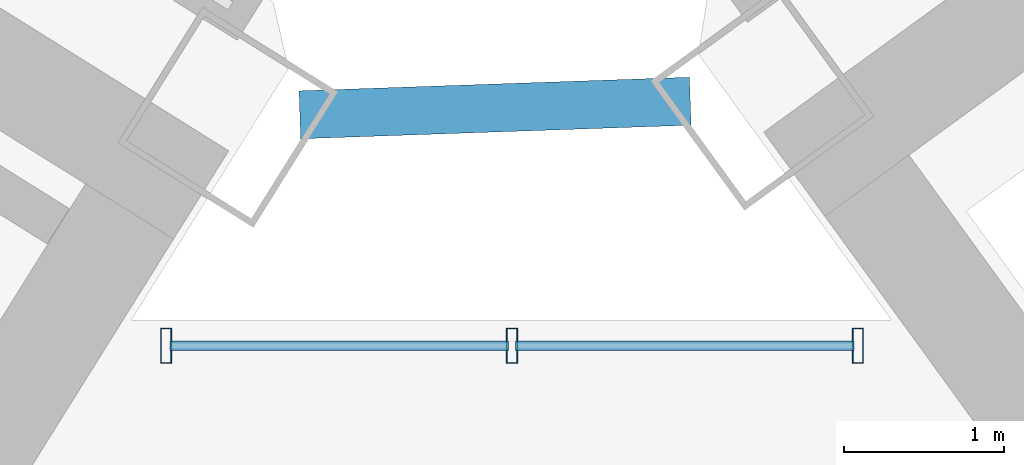
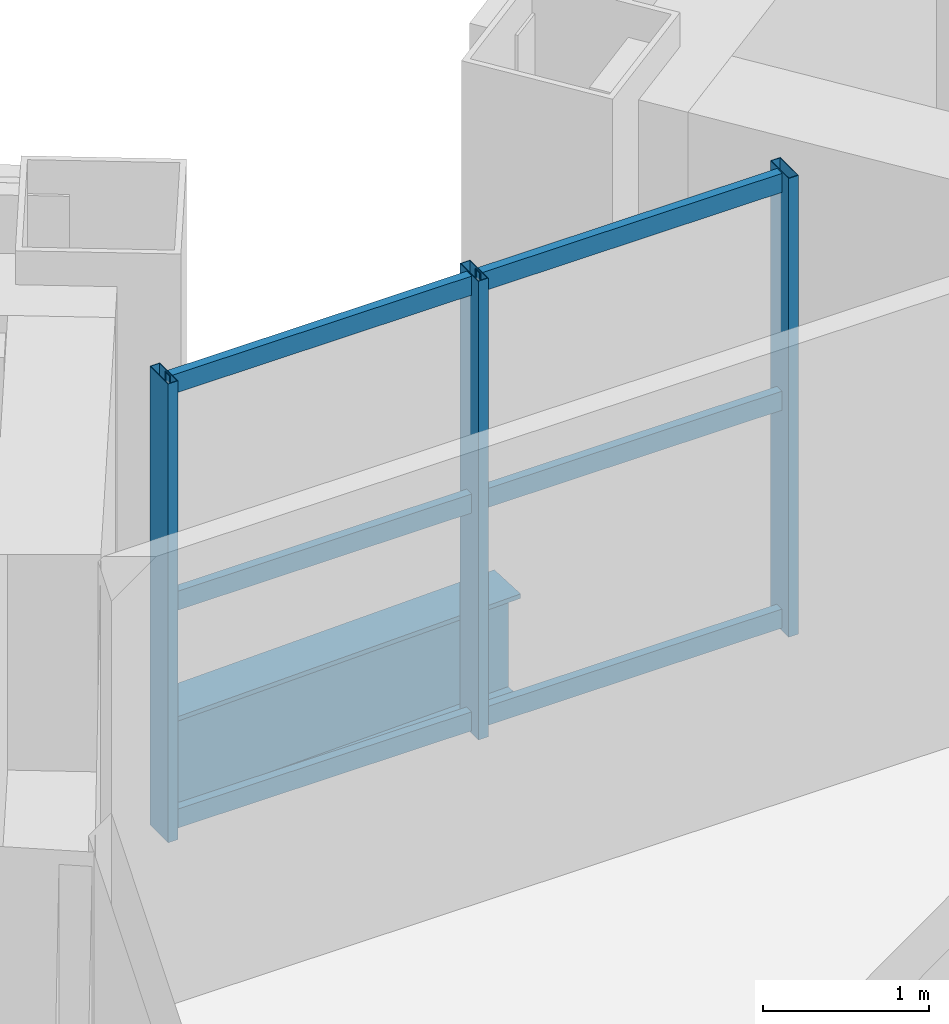
# One storey, part 11 of 28: 9 members, 1 beam, 1 element without a shape of its own.
"""IFC4 building model written with IfcOpenShell, lengths in metres."""

from ifc_helpers import new_model, si_unit, direction, frame, origin, origin_2d, place, context, subcontext, project, spatial, hollow_rectangle, i_section, extrude, source, transform, mapped, material, material_profile, profile_set, type_object, element, aggregate, save


model = new_model("IFC4")

# Units and contexts
model_context = context("Model", 3, precision=1e-05, world=origin(), true_north=direction((0.0, 1.0)))
body_context = subcontext(model_context, "Body", "Model", "MODEL_VIEW")
ifc_project = project(units=[si_unit("LENGTHUNIT", "METRE"), si_unit("AREAUNIT", "SQUARE_METRE"), si_unit("VOLUMEUNIT", "CUBIC_METRE"), si_unit("PLANEANGLEUNIT", "RADIAN"), si_unit("MASSUNIT", "GRAM", prefix="KILO")], contexts=[model_context])

# Site, building, storey
site_placement = place(None, origin())
site = spatial("IfcSite", under=ifc_project, at=site_placement, CompositionType="ELEMENT")
building_placement = place(site_placement, origin())
building = spatial("IfcBuilding", under=site, at=building_placement, Name="Tlacorven Tower", CompositionType="ELEMENT")
storey_placement = place(building_placement, frame((0.0, 0.0, 27.60009765625)))
storey = spatial("IfcBuildingStorey", under=building, at=storey_placement, Name="L06", CompositionType="ELEMENT", Elevation=27.60009765625)

# Beam
ifc_material_1 = material(Name="Steel S355J2", Category="steel")
ifc_material_profile_1 = material_profile(ifc_material_1, i_section(OverallWidth=0.300048828125, OverallDepth=0.800048828125, WebThickness=0.017578125, FlangeThickness=0.032958984375, at=origin_2d()), Name="HEB 800")
ifc_profile_set_1 = profile_set([ifc_material_profile_1], Name="Steel S355J2")
beam_type = type_object("IfcBeamType", Name="BM-POD-800", PredefinedType="BEAM", material=ifc_profile_set_1)
shared_shape_1 = source(origin(), body_context, "Body", "SweptSolid", [
    extrude(i_section(OverallWidth=0.300048828125, OverallDepth=0.800048828125, WebThickness=0.017578125, FlangeThickness=0.032958984375, at=origin_2d()), origin(), (0.0, 0.0, 1.0), 2.44287109375),
])
beam_placement = place(storey_placement, frame((41.232666015625, 24.484130859375, -0.650146484375), z_axis=(0.999391550767, 0.034878765122, 0.0), x_axis=(-0.034878765122, 0.999391550767, 0.0)))
element("IfcBeam", 1, at=beam_placement, inside=storey, type_object=beam_type, Name="L06 Knuckle Link Girder 1", PredefinedType="BEAM", context=body_context, shape_type="MappedRepresentation", body=[
    mapped(shared_shape_1, transform((0.0, 0.0, 0.0), scale=1.0)),
])

# Curtain wall, members
ifc_material_2 = material(Name="Dark solar low-E double glazing in aluminium frame", Category="aluminium")
curtain_wall_type = type_object("IfcCurtainWallType", Name="CW-TWR-LOW", PredefinedType="USERDEFINED", material=ifc_material_2)
curtain_wall_placement = place(storey_placement, origin())
curtain_wall = element("IfcCurtainWall", 2, at=curtain_wall_placement, inside=storey, type_object=curtain_wall_type, Name="L06 CW-TWR-LOW Curtain Wall 32", ObjectType="UNITISED CURTAIN WALL", PredefinedType="USERDEFINED")
ifc_material_3 = material(Name="Aluminium 6063-T6 anodised", Category="aluminium")
ifc_material_profile_2 = material_profile(ifc_material_3, hollow_rectangle(XDim=0.06005859375, YDim=0.139892578125, WallThickness=0.00390625, at=origin_2d()), Name="ALU TRANSOM 60X140")
ifc_profile_set_2 = profile_set([ifc_material_profile_2], Name="Aluminium 6063-T6 anodised")
member_type_1 = type_object("IfcMemberType", Name="CWT-02", PredefinedType="USERDEFINED", material=ifc_profile_set_2)
shared_shape_2 = source(origin(), body_context, "Body", "SweptSolid", [
    extrude(hollow_rectangle(XDim=0.06005859375, YDim=0.139892578125, WallThickness=0.00390625, at=origin_2d()), origin(), (0.0, 0.0, 1.0), 2.116455078125),
])
member_1_placement = place(storey_placement, frame((40.419921875, 23.0400390625, 0.06982421875), z_axis=(1.0, 0.0, 0.0), x_axis=(0.0, 1.0, 0.0)))
member_1 = element("IfcMember", 3, at=member_1_placement, type_object=member_type_1, Name="CW-L06-032 Transom 1", ObjectType="TRANSOM", PredefinedType="USERDEFINED", context=body_context, shape_type="MappedRepresentation", body=[
    mapped(shared_shape_2, transform((0.0, 0.0, 0.0), scale=1.0)),
])
member_2_placement = place(storey_placement, frame((40.419921875, 23.0400390625, 1.6748046875), z_axis=(1.0, 0.0, 0.0), x_axis=(0.0, 1.0, 0.0)))
member_2 = element("IfcMember", 4, at=member_2_placement, type_object=member_type_1, Name="CW-L06-032 Transom 2", ObjectType="TRANSOM", PredefinedType="USERDEFINED", context=body_context, shape_type="MappedRepresentation", body=[
    mapped(shared_shape_2, transform((0.0, 0.0, 0.0), scale=1.0)),
])
member_3_placement = place(storey_placement, frame((40.419921875, 23.0400390625, 3.27978515625), z_axis=(1.0, 0.0, 0.0), x_axis=(0.0, 1.0, 0.0)))
member_3 = element("IfcMember", 5, at=member_3_placement, type_object=member_type_1, Name="CW-L06-032 Transom 3", ObjectType="TRANSOM", PredefinedType="USERDEFINED", context=body_context, shape_type="MappedRepresentation", body=[
    mapped(shared_shape_2, transform((0.0, 0.0, 0.0), scale=1.0)),
])
shared_shape_3 = source(origin(), body_context, "Body", "SweptSolid", [
    extrude(hollow_rectangle(XDim=0.06005859375, YDim=0.139892578125, WallThickness=0.00390625, at=origin_2d()), origin(), (0.0, 0.0, 1.0), 2.11669921875),
])
member_4_placement = place(storey_placement, frame((42.582275390625, 23.0400390625, 0.06982421875), z_axis=(1.0, 0.0, 0.0), x_axis=(0.0, 1.0, 0.0)))
member_4 = element("IfcMember", 6, at=member_4_placement, type_object=member_type_1, Name="CW-L06-032 Transom 4", ObjectType="TRANSOM", PredefinedType="USERDEFINED", context=body_context, shape_type="MappedRepresentation", body=[
    mapped(shared_shape_3, transform((0.0, 0.0, 0.0), scale=1.0)),
])
member_5_placement = place(storey_placement, frame((42.582275390625, 23.0400390625, 1.6748046875), z_axis=(1.0, 0.0, 0.0), x_axis=(0.0, 1.0, 0.0)))
member_5 = element("IfcMember", 7, at=member_5_placement, type_object=member_type_1, Name="CW-L06-032 Transom 5", ObjectType="TRANSOM", PredefinedType="USERDEFINED", context=body_context, shape_type="MappedRepresentation", body=[
    mapped(shared_shape_3, transform((0.0, 0.0, 0.0), scale=1.0)),
])
member_6_placement = place(storey_placement, frame((42.582275390625, 23.0400390625, 3.27978515625), z_axis=(1.0, 0.0, 0.0), x_axis=(0.0, 1.0, 0.0)))
member_6 = element("IfcMember", 8, at=member_6_placement, type_object=member_type_1, Name="CW-L06-032 Transom 6", ObjectType="TRANSOM", PredefinedType="USERDEFINED", context=body_context, shape_type="MappedRepresentation", body=[
    mapped(shared_shape_3, transform((0.0, 0.0, 0.0), scale=1.0)),
])
ifc_material_profile_3 = material_profile(ifc_material_3, hollow_rectangle(XDim=0.070068359375, YDim=0.219970703125, WallThickness=0.0048828125, at=origin_2d()), Name="ALU MULLION 70X220")
ifc_profile_set_3 = profile_set([ifc_material_profile_3], Name="Aluminium 6063-T6 anodised")
member_type_2 = type_object("IfcMemberType", Name="CWM-01", PredefinedType="MULLION", material=ifc_profile_set_3)
shared_shape_4 = source(origin(), body_context, "Body", "SweptSolid", [
    extrude(hollow_rectangle(XDim=0.070068359375, YDim=0.219970703125, WallThickness=0.0048828125, at=origin_2d()), origin(), (0.0, 0.0, 1.0), 3.3798828125),
])
member_7_placement = place(storey_placement, frame((40.396728515625, 23.0400390625, -0.02001953125), z_axis=(0.0, 0.0, 1.0), x_axis=(1.0, 0.0, 0.0)))
member_7 = element("IfcMember", 9, at=member_7_placement, type_object=member_type_2, Name="CW-L06-032 Mullion 1", PredefinedType="MULLION", context=body_context, shape_type="MappedRepresentation", body=[
    mapped(shared_shape_4, transform((0.0, 0.0, 0.0), scale=1.0)),
])
member_8_placement = place(storey_placement, frame((42.559326171875, 23.0400390625, -0.02001953125), z_axis=(0.0, 0.0, 1.0), x_axis=(1.0, 0.0, 0.0)))
member_8 = element("IfcMember", 10, at=member_8_placement, type_object=member_type_2, Name="CW-L06-032 Mullion 2", PredefinedType="MULLION", context=body_context, shape_type="MappedRepresentation", body=[
    mapped(shared_shape_4, transform((0.0, 0.0, 0.0), scale=1.0)),
])
member_9_placement = place(storey_placement, frame((44.721923828125, 23.0400390625, -0.02001953125), z_axis=(0.0, 0.0, 1.0), x_axis=(1.0, 0.0, 0.0)))
member_9 = element("IfcMember", 11, at=member_9_placement, type_object=member_type_2, Name="CW-L06-032 Mullion 3", PredefinedType="MULLION", context=body_context, shape_type="MappedRepresentation", body=[
    mapped(shared_shape_4, transform((0.0, 0.0, 0.0), scale=1.0)),
])
aggregate(curtain_wall, [member_7, member_8, member_9, member_1, member_2, member_3, member_4, member_5, member_6])

save(model, "model.ifc")
